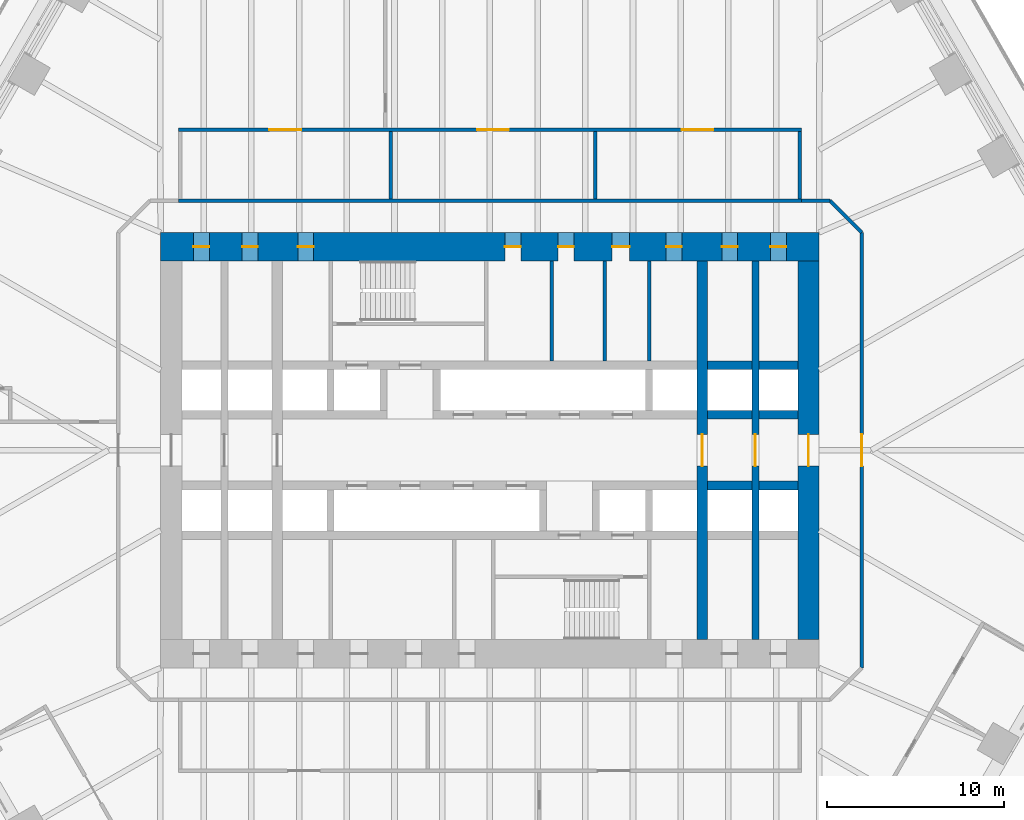
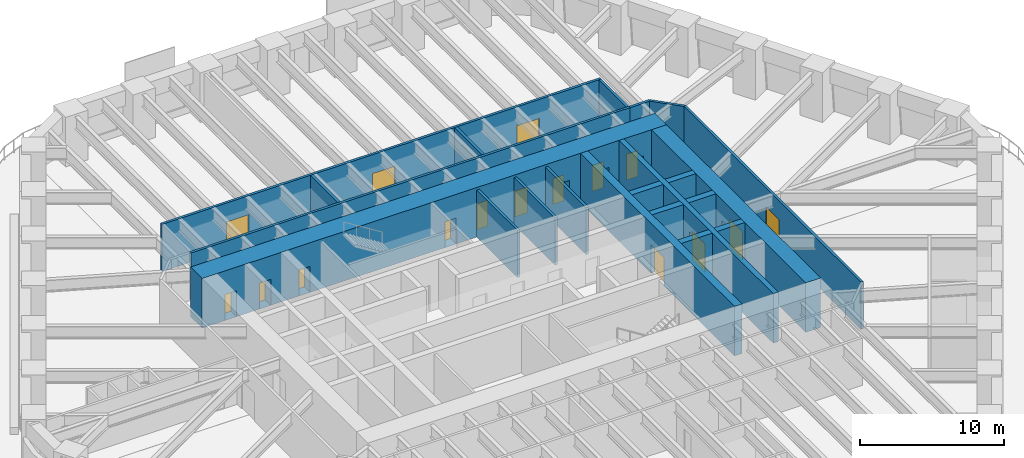
# One storey, part 19 of 23: 21 walls, 16 doors, 16 openings.
"""IFC4 building model written with IfcOpenShell, lengths in metres."""

from ifc_helpers import new_model, si_unit, direction, frame, frame_2d, origin, place, context, subcontext, project, spatial, rectangle, extrude, material, layer, layer_set, type_object, element, fill, save


model = new_model("IFC4")

# Units and contexts
model_context = context("Model", 3, precision=1e-05, world=origin(), true_north=direction((0.0, 1.0)))
body_context = subcontext(model_context, "Body", "Model", "MODEL_VIEW")
ifc_project = project(units=[si_unit("LENGTHUNIT", "METRE"), si_unit("AREAUNIT", "SQUARE_METRE"), si_unit("VOLUMEUNIT", "CUBIC_METRE"), si_unit("PLANEANGLEUNIT", "RADIAN"), si_unit("MASSUNIT", "GRAM", prefix="KILO")], contexts=[model_context])

# Site, building, storey
site_placement = place(None, origin())
site = spatial("IfcSite", under=ifc_project, at=site_placement, CompositionType="ELEMENT")
building_placement = place(site_placement, origin())
building = spatial("IfcBuilding", under=site, at=building_placement, Name="Tarfa Lantern Tower", CompositionType="ELEMENT")
storey_placement = place(building_placement, frame((0.0, 0.0, 86.5)))
storey = spatial("IfcBuildingStorey", under=building, at=storey_placement, Name="L19", CompositionType="ELEMENT", Elevation=86.5)

# Walls
ifc_material_1 = material(Name="Concrete blockwork", Category="masonry")
ifc_layer_1 = layer(ifc_material_1, 0.199951171875)
ifc_layer_set_1 = layer_set([ifc_layer_1], Name="IW1 BLOCKWORK PARTITION 200 EI 120")
wall_type_1 = type_object("IfcWallType", Name="IW1 BLOCKWORK PARTITION 200 EI 120", PredefinedType="PARTITIONING", material=ifc_layer_set_1)
for number, where, z_axis, x_axis, name in (
    (1, (9.0, 5.050048828125, 0.0), (0.0, 0.0, 1.0), (0.0, 1.0, 0.0), "Core partition"),
    (2, (3.5, 5.050048828125, 0.0), (0.0, 0.0, 1.0), (0.0, 1.0, 0.0), "Core partition"),
    (3, (6.5, 5.050048828125, 0.0), (0.0, 0.0, 1.0), (0.0, 1.0, 0.0), "Core partition"),
):
    element("IfcWall", number, at=place(storey_placement, frame(where, z_axis=z_axis, x_axis=x_axis)), inside=storey, type_object=wall_type_1, Name=name, PredefinedType="PARTITIONING", context=body_context, shape_type="SweptSolid", body=[
        extrude(rectangle(XDim=5.64990234375, YDim=0.199951171875, at=frame_2d((2.824951171875, 0.0))), origin(), (0.0, 0.0, 1.0), 4.0),
    ])
ifc_material_2 = material(Name="Gypsum board on steel studs", Category="steel")
ifc_layer_2 = layer(ifc_material_2, 0.2099609375)
ifc_layer_set_2 = layer_set([ifc_layer_2], Name="IW2 ACOUSTIC PARTITION 200")
wall_type_2 = type_object("IfcWallType", Name="IW2 ACOUSTIC PARTITION 200", PredefinedType="PARTITIONING", material=ifc_layer_set_2)
wall_1_placement = place(storey_placement, frame((-17.60009765625, 14.10009765625, 0.0), z_axis=(0.0, 0.0, 1.0), x_axis=(1.0, 0.0, 0.0)))
element("IfcWall", 4, at=wall_1_placement, inside=storey, type_object=wall_type_2, Name="Partition", PredefinedType="PARTITIONING", context=body_context, shape_type="SweptSolid", body=[
    extrude(rectangle(XDim=35.2001953125, YDim=0.199951171875, at=frame_2d((17.60009765625, 0.0))), origin(), (0.0, 0.0, 1.0), 4.0),
])

# Wall, openings, doors
wall_2_placement = place(storey_placement, frame((-17.60009765625, 18.10009765625, 0.0), z_axis=(0.0, 0.0, 1.0), x_axis=(1.0, 0.0, 0.0)))
wall_2 = element("IfcWall", 5, at=wall_2_placement, inside=storey, type_object=wall_type_2, Name="Partition", PredefinedType="PARTITIONING", context=body_context, shape_type="SweptSolid", body=[
    extrude(rectangle(XDim=35.2001953125, YDim=0.199951171875, at=frame_2d((17.60009765625, 0.0))), origin(), (0.0, 0.0, 1.0), 4.0),
])
opening_1_placement = place(wall_2_placement, frame((5.14990234375, 0.0, 0.0)))
opening_1 = element("IfcOpeningElement", 6, at=opening_1_placement, cuts=wall_2, Name="Opening D32", PredefinedType="OPENING", context=body_context, shape_type="SweptSolid", body=[
    extrude(rectangle(XDim=1.800048828125, YDim=2.39990234375, at=frame_2d((0.89990234375, 1.199951171875))), frame((0.0, 0.10986328125, 0.0), z_axis=(0.0, -1.0, 0.0), x_axis=(1.0, 0.0, 0.0)), (0.0, 0.0, 1.0), 0.219970703125),
])
opening_2_placement = place(wall_2_placement, frame((16.875, 0.0, 0.0)))
opening_2 = element("IfcOpeningElement", 7, at=opening_2_placement, cuts=wall_2, Name="Opening D33", PredefinedType="OPENING", context=body_context, shape_type="SweptSolid", body=[
    extrude(rectangle(XDim=1.800048828125, YDim=2.39990234375, at=frame_2d((0.89990234375, 1.199951171875))), frame((0.0, 0.10986328125, 0.0), z_axis=(0.0, -1.0, 0.0), x_axis=(1.0, 0.0, 0.0)), (0.0, 0.0, 1.0), 0.219970703125),
])
opening_3_placement = place(wall_2_placement, frame((28.425048828125, 0.0, 0.0)))
opening_3 = element("IfcOpeningElement", 8, at=opening_3_placement, cuts=wall_2, Name="Opening D34", PredefinedType="OPENING", context=body_context, shape_type="SweptSolid", body=[
    extrude(rectangle(XDim=1.800048828125, YDim=2.39990234375, at=frame_2d((0.89990234375, 1.199951171875))), frame((0.0, 0.10986328125, 0.0), z_axis=(0.0, -1.0, 0.0), x_axis=(1.0, 0.0, 0.0)), (0.0, 0.0, 1.0), 0.219970703125),
])
ifc_material_3 = material(Name="Timber door", Category="wood")
door_type_1 = type_object("IfcDoorType", Name="DR2 ROOM DOOR 1800x2400", OperationType="DOUBLE_DOOR_SINGLE_SWING", PredefinedType="DOOR", material=ifc_material_3)
door_1_placement = place(opening_1_placement, frame((1.800048828125, 0.0, 0.0), z_axis=(0.0, 0.0, 1.0), x_axis=(-1.0, 0.0, 0.0)))
door_1 = element("IfcDoor", 9, at=door_1_placement, inside=storey, type_object=door_type_1, Name="Interview room door", OperationType="DOUBLE_DOOR_SINGLE_SWING", OverallHeight=2.39990234375, OverallWidth=1.800048828125, PredefinedType="DOOR", context=body_context, shape_type="SweptSolid", body=[
    extrude(rectangle(XDim=1.800048828125, YDim=2.39990234375, at=frame_2d((0.89990234375, 1.199951171875))), frame((0.0, 0.02490234375, 0.0), z_axis=(0.0, -1.0, 0.0), x_axis=(1.0, 0.0, 0.0)), (0.0, 0.0, 1.0), 0.050048828125),
])
fill(opening_1, door_1)
door_2_placement = place(opening_2_placement, frame((1.800048828125, 0.0, 0.0), z_axis=(0.0, 0.0, 1.0), x_axis=(-1.0, 0.0, 0.0)))
door_2 = element("IfcDoor", 10, at=door_2_placement, inside=storey, type_object=door_type_1, Name="Interview room door", OperationType="DOUBLE_DOOR_SINGLE_SWING", OverallHeight=2.39990234375, OverallWidth=1.800048828125, PredefinedType="DOOR", context=body_context, shape_type="SweptSolid", body=[
    extrude(rectangle(XDim=1.800048828125, YDim=2.39990234375, at=frame_2d((0.89990234375, 1.199951171875))), frame((0.0, 0.02490234375, 0.0), z_axis=(0.0, -1.0, 0.0), x_axis=(1.0, 0.0, 0.0)), (0.0, 0.0, 1.0), 0.050048828125),
])
fill(opening_2, door_2)
door_3_placement = place(opening_3_placement, frame((1.800048828125, 0.0, 0.0), z_axis=(0.0, 0.0, 1.0), x_axis=(-1.0, 0.0, 0.0)))
door_3 = element("IfcDoor", 11, at=door_3_placement, inside=storey, type_object=door_type_1, Name="Interview room door", OperationType="DOUBLE_DOOR_SINGLE_SWING", OverallHeight=2.39990234375, OverallWidth=1.800048828125, PredefinedType="DOOR", context=body_context, shape_type="SweptSolid", body=[
    extrude(rectangle(XDim=1.800048828125, YDim=2.39990234375, at=frame_2d((0.89990234375, 1.199951171875))), frame((0.0, 0.02490234375, 0.0), z_axis=(0.0, -1.0, 0.0), x_axis=(1.0, 0.0, 0.0)), (0.0, 0.0, 1.0), 0.050048828125),
])
fill(opening_3, door_3)

# Walls
for number, where, z_axis, x_axis, name in (
    (12, (-5.60009765625, 14.199951171875, 0.0), (0.0, 0.0, 1.0), (0.0, 1.0, 0.0), "Partition"),
    (13, (5.949951171875, 14.199951171875, 0.0), (0.0, 0.0, 1.0), (0.0, 1.0, 0.0), "Partition"),
    (14, (17.5, 14.199951171875, 0.0), (0.0, 0.0, 1.0), (0.0, 1.0, 0.0), "Partition"),
):
    element("IfcWall", number, at=place(storey_placement, frame(where, z_axis=z_axis, x_axis=x_axis)), inside=storey, type_object=wall_type_2, Name=name, PredefinedType="PARTITIONING", context=body_context, shape_type="SweptSolid", body=[
        extrude(rectangle(XDim=3.800048828125, YDim=0.199951171875, at=frame_2d((1.89990234375, 0.0))), origin(), (0.0, 0.0, 1.0), 4.0),
    ])
wall_3_placement = place(storey_placement, frame((17.60009765625, 14.10009765625, 0.0), z_axis=(0.0, 0.0, 1.0), x_axis=(1.0, 0.0, 0.0)))
element("IfcWall", 15, at=wall_3_placement, inside=storey, type_object=wall_type_2, Name="Partition", PredefinedType="PARTITIONING", context=body_context, shape_type="SweptSolid", body=[
    extrude(rectangle(XDim=1.599853515625, YDim=0.199951171875, at=frame_2d((0.7998046875, 0.0))), origin(), (0.0, 0.0, 1.0), 4.0),
])
wall_4_placement = place(storey_placement, frame((19.199951171875, 14.10009765625, 0.0), z_axis=(0.0, 0.0, 1.0), x_axis=(0.707106781187, -0.707106781187, 0.0)))
element("IfcWall", 16, at=wall_4_placement, inside=storey, type_object=wall_type_2, Name="Partition", PredefinedType="PARTITIONING", context=body_context, shape_type="SweptSolid", body=[
    extrude(rectangle(XDim=2.545654296875, YDim=0.199951171875, at=frame_2d((1.27294921875, 0.0))), origin(), (0.0, 0.0, 1.0), 4.0),
])

# Wall, opening, door
wall_5_placement = place(storey_placement, frame((21.0, 12.300048828125, 0.0), z_axis=(0.0, 0.0, 1.0), x_axis=(0.0, -1.0, 0.0)))
wall_5 = element("IfcWall", 17, at=wall_5_placement, inside=storey, type_object=wall_type_2, Name="Partition", PredefinedType="PARTITIONING", context=body_context, shape_type="SweptSolid", body=[
    extrude(rectangle(XDim=24.60009765625, YDim=0.199951171875, at=frame_2d((12.300048828125, 0.0))), origin(), (0.0, 0.0, 1.0), 4.0),
])
opening_4_placement = place(wall_5_placement, frame((11.39990234375, 0.0, 0.0)))
opening_4 = element("IfcOpeningElement", 18, at=opening_4_placement, cuts=wall_5, Name="Opening D42", PredefinedType="OPENING", context=body_context, shape_type="SweptSolid", body=[
    extrude(rectangle(XDim=1.800048828125, YDim=2.39990234375, at=frame_2d((0.89990234375, 1.199951171875))), frame((0.0, 0.10986328125, 0.0), z_axis=(0.0, -1.0, 0.0), x_axis=(1.0, 0.0, 0.0)), (0.0, 0.0, 1.0), 0.219970703125),
])
door_4_placement = place(opening_4_placement, origin())
door_4 = element("IfcDoor", 19, at=door_4_placement, inside=storey, type_object=door_type_1, Name="Corridor door", OperationType="DOUBLE_DOOR_SINGLE_SWING", OverallHeight=2.39990234375, OverallWidth=1.800048828125, PredefinedType="DOOR", context=body_context, shape_type="SweptSolid", body=[
    extrude(rectangle(XDim=1.800048828125, YDim=2.39990234375, at=frame_2d((0.89990234375, 1.199951171875))), frame((0.0, 0.02490234375, 0.0), z_axis=(0.0, -1.0, 0.0), x_axis=(1.0, 0.0, 0.0)), (0.0, 0.0, 1.0), 0.050048828125),
])
fill(opening_4, door_4)

ifc_material_4 = material(Name="Concrete C80/95", Category="concrete")
ifc_layer_3 = layer(ifc_material_4, 1.199951171875)
ifc_layer_set_3 = layer_set([ifc_layer_3], Name="SW1 CORE WALL 1200")
wall_type_3 = type_object("IfcWallType", Name="SW1 CORE WALL 1200", PredefinedType="SHEAR", material=ifc_layer_set_3)
wall_6_placement = place(storey_placement, frame((18.0, -10.699951171875, 0.0), z_axis=(0.0, 0.0, 1.0), x_axis=(0.0, 1.0, 0.0)))
wall_6 = element("IfcWall", 20, at=wall_6_placement, inside=storey, type_object=wall_type_3, Name="Core wall E", PredefinedType="SHEAR", context=body_context, shape_type="SweptSolid", body=[
    extrude(rectangle(XDim=21.39990234375, YDim=1.199951171875, at=frame_2d((10.699951171875, 0.0))), origin(), (0.0, 0.0, 1.0), 4.199951171875),
])
opening_5_placement = place(wall_6_placement, frame((9.800048828125, 0.0, 0.0)))
opening_5 = element("IfcOpeningElement", 21, at=opening_5_placement, cuts=wall_6, Name="Opening D15", PredefinedType="OPENING", context=body_context, shape_type="SweptSolid", body=[
    extrude(rectangle(XDim=1.800048828125, YDim=2.39990234375, at=frame_2d((0.89990234375, 1.199951171875))), frame((0.0, 0.60986328125, 0.0), z_axis=(0.0, -1.0, 0.0), x_axis=(1.0, 0.0, 0.0)), (0.0, 0.0, 1.0), 1.219970703125),
])
ifc_material_5 = material(Name="Steel fire door", Category="steel")
door_type_2 = type_object("IfcDoorType", Name="DL1 LOBBY DOOR 1800x2400", OperationType="DOUBLE_DOOR_SINGLE_SWING", PredefinedType="DOOR", material=ifc_material_5)
door_5_placement = place(opening_5_placement, frame((1.800048828125, 0.0, 0.0), z_axis=(0.0, 0.0, 1.0), x_axis=(-1.0, 0.0, 0.0)))
door_5 = element("IfcDoor", 22, at=door_5_placement, inside=storey, type_object=door_type_2, Name="Lift lobby door", OperationType="DOUBLE_DOOR_SINGLE_SWING", OverallHeight=2.39990234375, OverallWidth=1.800048828125, PredefinedType="DOOR", context=body_context, shape_type="SweptSolid", body=[
    extrude(rectangle(XDim=1.800048828125, YDim=2.39990234375, at=frame_2d((0.89990234375, 1.199951171875))), frame((0.0, 0.02490234375, 0.0), z_axis=(0.0, -1.0, 0.0), x_axis=(1.0, 0.0, 0.0)), (0.0, 0.0, 1.0), 0.050048828125),
])
fill(opening_5, door_5)

# Walls
ifc_layer_4 = layer(ifc_material_4, 0.5)
ifc_layer_set_4 = layer_set([ifc_layer_4], Name="SW5 CORE WALL 500")
wall_type_4 = type_object("IfcWallType", Name="SW5 CORE WALL 500", PredefinedType="SHEAR", material=ifc_layer_set_4)
wall_7_placement = place(storey_placement, frame((12.300048828125, 2.0, 0.0), z_axis=(0.0, 0.0, 1.0), x_axis=(1.0, 0.0, 0.0)))
element("IfcWall", 23, at=wall_7_placement, inside=storey, type_object=wall_type_4, Name="Core wall lobby east N", PredefinedType="SHEAR", context=body_context, shape_type="SweptSolid", body=[
    extrude(rectangle(XDim=2.5, YDim=0.5, at=frame_2d((1.25, 0.0))), origin(), (0.0, 0.0, 1.0), 4.199951171875),
])
wall_8_placement = place(storey_placement, frame((15.199951171875, 2.0, 0.0), z_axis=(0.0, 0.0, 1.0), x_axis=(1.0, 0.0, 0.0)))
element("IfcWall", 24, at=wall_8_placement, inside=storey, type_object=wall_type_4, Name="Core wall lobby east N", PredefinedType="SHEAR", context=body_context, shape_type="SweptSolid", body=[
    extrude(rectangle(XDim=2.199951171875, YDim=0.5, at=frame_2d((1.10009765625, 0.0))), origin(), (0.0, 0.0, 1.0), 4.199951171875),
])
wall_9_placement = place(storey_placement, frame((12.300048828125, 4.800048828125, 0.0), z_axis=(0.0, 0.0, 1.0), x_axis=(1.0, 0.0, 0.0)))
element("IfcWall", 25, at=wall_9_placement, inside=storey, type_object=wall_type_4, Name="Core wall rear N", PredefinedType="SHEAR", context=body_context, shape_type="SweptSolid", body=[
    extrude(rectangle(XDim=2.5, YDim=0.5, at=frame_2d((1.25, 0.0))), origin(), (0.0, 0.0, 1.0), 4.199951171875),
])
for number, where, z_axis, x_axis, name in (
    (26, (15.199951171875, 4.800048828125, 0.0), (0.0, 0.0, 1.0), (1.0, 0.0, 0.0), "Core wall rear N"),
    (27, (17.39990234375, -2.0, 0.0), (0.0, 0.0, 1.0), (-1.0, 0.0, 0.0), "Core wall lobby west S"),
):
    element("IfcWall", number, at=place(storey_placement, frame(where, z_axis=z_axis, x_axis=x_axis)), inside=storey, type_object=wall_type_4, Name=name, PredefinedType="SHEAR", context=body_context, shape_type="SweptSolid", body=[
        extrude(rectangle(XDim=2.199951171875, YDim=0.5, at=frame_2d((1.10009765625, 0.0))), origin(), (0.0, 0.0, 1.0), 4.199951171875),
    ])
wall_10_placement = place(storey_placement, frame((14.800048828125, -2.0, 0.0), z_axis=(0.0, 0.0, 1.0), x_axis=(-1.0, 0.0, 0.0)))
element("IfcWall", 28, at=wall_10_placement, inside=storey, type_object=wall_type_4, Name="Core wall lobby west S", PredefinedType="SHEAR", context=body_context, shape_type="SweptSolid", body=[
    extrude(rectangle(XDim=2.5, YDim=0.5, at=frame_2d((1.25, 0.0))), origin(), (0.0, 0.0, 1.0), 4.199951171875),
])

# Wall, opening, door
ifc_layer_5 = layer(ifc_material_4, 0.39990234375)
ifc_layer_set_5 = layer_set([ifc_layer_5], Name="SW6 CORE WALL 400")
wall_type_5 = type_object("IfcWallType", Name="SW6 CORE WALL 400", PredefinedType="SHEAR", material=ifc_layer_set_5)
wall_11_placement = place(storey_placement, frame((15.0, -10.699951171875, 0.0), z_axis=(0.0, 0.0, 1.0), x_axis=(0.0, 1.0, 0.0)))
wall_11 = element("IfcWall", 29, at=wall_11_placement, inside=storey, type_object=wall_type_5, Name="Core wall cross 15 m east", PredefinedType="SHEAR", context=body_context, shape_type="SweptSolid", body=[
    extrude(rectangle(XDim=21.39990234375, YDim=0.39990234375, at=frame_2d((10.699951171875, 0.0))), origin(), (0.0, 0.0, 1.0), 4.199951171875),
])
opening_6_placement = place(wall_11_placement, frame((9.800048828125, 0.0, 0.0)))
opening_6 = element("IfcOpeningElement", 30, at=opening_6_placement, cuts=wall_11, Name="Opening D26", PredefinedType="OPENING", context=body_context, shape_type="SweptSolid", body=[
    extrude(rectangle(XDim=1.800048828125, YDim=2.39990234375, at=frame_2d((0.89990234375, 1.199951171875))), frame((0.0, 0.2099609375, 0.0), z_axis=(0.0, -1.0, 0.0), x_axis=(1.0, 0.0, 0.0)), (0.0, 0.0, 1.0), 0.419921875),
])
door_6_placement = place(opening_6_placement, origin())
door_6 = element("IfcDoor", 31, at=door_6_placement, inside=storey, type_object=door_type_2, Name="Lift lobby door", OperationType="DOUBLE_DOOR_SINGLE_SWING", OverallHeight=2.39990234375, OverallWidth=1.800048828125, PredefinedType="DOOR", context=body_context, shape_type="SweptSolid", body=[
    extrude(rectangle(XDim=1.800048828125, YDim=2.39990234375, at=frame_2d((0.89990234375, 1.199951171875))), frame((0.0, 0.02490234375, 0.0), z_axis=(0.0, -1.0, 0.0), x_axis=(1.0, 0.0, 0.0)), (0.0, 0.0, 1.0), 0.050048828125),
])
fill(opening_6, door_6)

# Wall, openings, doors
ifc_layer_6 = layer(ifc_material_4, 1.60009765625)
ifc_layer_set_6 = layer_set([ifc_layer_6], Name="SW7 CORE WALL 1600")
wall_type_6 = type_object("IfcWallType", Name="SW7 CORE WALL 1600", PredefinedType="SHEAR", material=ifc_layer_set_6)
wall_12_placement = place(storey_placement, frame((-18.60009765625, 11.5, 0.0), z_axis=(0.0, 0.0, 1.0), x_axis=(1.0, 0.0, 0.0)))
wall_12 = element("IfcWall", 32, at=wall_12_placement, inside=storey, type_object=wall_type_6, Name="Core wall N", PredefinedType="SHEAR", context=body_context, shape_type="SweptSolid", body=[
    extrude(rectangle(XDim=37.2001953125, YDim=1.60009765625, at=frame_2d((18.60009765625, 0.0))), origin(), (0.0, 0.0, 1.0), 4.199951171875),
])
opening_7_placement = place(wall_12_placement, frame((19.449951171875, 0.0, 0.0)))
opening_7 = element("IfcOpeningElement", 33, at=opening_7_placement, cuts=wall_12, Name="Opening D17", PredefinedType="OPENING", context=body_context, shape_type="SweptSolid", body=[
    extrude(rectangle(XDim=0.89990234375, YDim=2.199951171875, at=frame_2d((0.449951171875, 1.10009765625))), frame((0.0, 0.81005859375, 0.0), z_axis=(0.0, -1.0, 0.0), x_axis=(1.0, 0.0, 0.0)), (0.0, 0.0, 1.0), 1.6201171875),
])
opening_8_placement = place(wall_12_placement, frame((22.449951171875, 0.0, 0.0)))
opening_8 = element("IfcOpeningElement", 34, at=opening_8_placement, cuts=wall_12, Name="Opening D19", PredefinedType="OPENING", context=body_context, shape_type="SweptSolid", body=[
    extrude(rectangle(XDim=0.89990234375, YDim=2.199951171875, at=frame_2d((0.449951171875, 1.10009765625))), frame((0.0, 0.81005859375, 0.0), z_axis=(0.0, -1.0, 0.0), x_axis=(1.0, 0.0, 0.0)), (0.0, 0.0, 1.0), 1.6201171875),
])
opening_9_placement = place(wall_12_placement, frame((25.5, 0.0, 0.0)))
opening_9 = element("IfcOpeningElement", 35, at=opening_9_placement, cuts=wall_12, Name="Opening D21", PredefinedType="OPENING", context=body_context, shape_type="SweptSolid", body=[
    extrude(rectangle(XDim=1.0, YDim=2.199951171875, at=frame_2d((0.5, 1.10009765625))), frame((0.0, 0.81005859375, 0.0), z_axis=(0.0, -1.0, 0.0), x_axis=(1.0, 0.0, 0.0)), (0.0, 0.0, 1.0), 1.6201171875),
])
opening_10_placement = place(wall_12_placement, frame((1.85009765625, 0.0, 0.0)))
opening_10 = element("IfcOpeningElement", 36, at=opening_10_placement, cuts=wall_12, Name="Opening D11", PredefinedType="OPENING", context=body_context, shape_type="SweptSolid", body=[
    extrude(rectangle(XDim=0.89990234375, YDim=2.199951171875, at=frame_2d((0.449951171875, 1.10009765625))), frame((0.0, 0.81005859375, 0.0), z_axis=(0.0, -1.0, 0.0), x_axis=(1.0, 0.0, 0.0)), (0.0, 0.0, 1.0), 1.6201171875),
])
opening_11_placement = place(wall_12_placement, frame((4.60009765625, 0.0, 0.0)))
opening_11 = element("IfcOpeningElement", 37, at=opening_11_placement, cuts=wall_12, Name="Opening D07", PredefinedType="OPENING", context=body_context, shape_type="SweptSolid", body=[
    extrude(rectangle(XDim=0.89990234375, YDim=2.199951171875, at=frame_2d((0.449951171875, 1.10009765625))), frame((0.0, 0.81005859375, 0.0), z_axis=(0.0, -1.0, 0.0), x_axis=(1.0, 0.0, 0.0)), (0.0, 0.0, 1.0), 1.6201171875),
])
opening_12_placement = place(wall_12_placement, frame((7.75, 0.0, 0.0)))
opening_12 = element("IfcOpeningElement", 38, at=opening_12_placement, cuts=wall_12, Name="Opening D09", PredefinedType="OPENING", context=body_context, shape_type="SweptSolid", body=[
    extrude(rectangle(XDim=0.89990234375, YDim=2.199951171875, at=frame_2d((0.449951171875, 1.10009765625))), frame((0.0, 0.81005859375, 0.0), z_axis=(0.0, -1.0, 0.0), x_axis=(1.0, 0.0, 0.0)), (0.0, 0.0, 1.0), 1.6201171875),
])
opening_13_placement = place(wall_12_placement, frame((28.550048828125, 0.0, 0.0)))
opening_13 = element("IfcOpeningElement", 39, at=opening_13_placement, cuts=wall_12, Name="Opening D05", PredefinedType="OPENING", context=body_context, shape_type="SweptSolid", body=[
    extrude(rectangle(XDim=0.89990234375, YDim=2.199951171875, at=frame_2d((0.449951171875, 1.10009765625))), frame((0.0, 0.81005859375, 0.0), z_axis=(0.0, -1.0, 0.0), x_axis=(1.0, 0.0, 0.0)), (0.0, 0.0, 1.0), 1.6201171875),
])
opening_14_placement = place(wall_12_placement, frame((31.699951171875, 0.0, 0.0)))
opening_14 = element("IfcOpeningElement", 40, at=opening_14_placement, cuts=wall_12, Name="Opening D01", PredefinedType="OPENING", context=body_context, shape_type="SweptSolid", body=[
    extrude(rectangle(XDim=0.89990234375, YDim=2.199951171875, at=frame_2d((0.449951171875, 1.10009765625))), frame((0.0, 0.81005859375, 0.0), z_axis=(0.0, -1.0, 0.0), x_axis=(1.0, 0.0, 0.0)), (0.0, 0.0, 1.0), 1.6201171875),
])
opening_15_placement = place(wall_12_placement, frame((34.449951171875, 0.0, 0.0)))
opening_15 = element("IfcOpeningElement", 41, at=opening_15_placement, cuts=wall_12, Name="Opening D03", PredefinedType="OPENING", context=body_context, shape_type="SweptSolid", body=[
    extrude(rectangle(XDim=0.89990234375, YDim=2.199951171875, at=frame_2d((0.449951171875, 1.10009765625))), frame((0.0, 0.81005859375, 0.0), z_axis=(0.0, -1.0, 0.0), x_axis=(1.0, 0.0, 0.0)), (0.0, 0.0, 1.0), 1.6201171875),
])
door_type_3 = type_object("IfcDoorType", Name="DF3 CORE ROOM DOOR 900x2200", OperationType="SINGLE_SWING_LEFT", PredefinedType="DOOR", material=ifc_material_5)
door_7_placement = place(opening_7_placement, frame((0.89990234375, 0.0, 0.0), z_axis=(0.0, 0.0, 1.0), x_axis=(-1.0, 0.0, 0.0)))
door_7 = element("IfcDoor", 42, at=door_7_placement, inside=storey, type_object=door_type_3, Name="Core door", OperationType="SINGLE_SWING_LEFT", OverallHeight=2.199951171875, OverallWidth=0.89990234375, PredefinedType="DOOR", context=body_context, shape_type="SweptSolid", body=[
    extrude(rectangle(XDim=0.89990234375, YDim=2.199951171875, at=frame_2d((0.449951171875, 1.10009765625))), frame((0.0, 0.02490234375, 0.0), z_axis=(0.0, -1.0, 0.0), x_axis=(1.0, 0.0, 0.0)), (0.0, 0.0, 1.0), 0.050048828125),
])
fill(opening_7, door_7)
door_8_placement = place(opening_8_placement, frame((0.89990234375, 0.0, 0.0), z_axis=(0.0, 0.0, 1.0), x_axis=(-1.0, 0.0, 0.0)))
door_8 = element("IfcDoor", 43, at=door_8_placement, inside=storey, type_object=door_type_3, Name="Core door", OperationType="SINGLE_SWING_LEFT", OverallHeight=2.199951171875, OverallWidth=0.89990234375, PredefinedType="DOOR", context=body_context, shape_type="SweptSolid", body=[
    extrude(rectangle(XDim=0.89990234375, YDim=2.199951171875, at=frame_2d((0.449951171875, 1.10009765625))), frame((0.0, 0.02490234375, 0.0), z_axis=(0.0, -1.0, 0.0), x_axis=(1.0, 0.0, 0.0)), (0.0, 0.0, 1.0), 0.050048828125),
])
fill(opening_8, door_8)
door_type_4 = type_object("IfcDoorType", Name="DF4 CORE ROOM DOOR 1000x2200", OperationType="SINGLE_SWING_LEFT", PredefinedType="DOOR", material=ifc_material_5)
door_9_placement = place(opening_9_placement, frame((1.0, 0.0, 0.0), z_axis=(0.0, 0.0, 1.0), x_axis=(-1.0, 0.0, 0.0)))
door_9 = element("IfcDoor", 44, at=door_9_placement, inside=storey, type_object=door_type_4, Name="Core door", OperationType="SINGLE_SWING_LEFT", OverallHeight=2.199951171875, OverallWidth=1.0, PredefinedType="DOOR", context=body_context, shape_type="SweptSolid", body=[
    extrude(rectangle(XDim=1.0, YDim=2.199951171875, at=frame_2d((0.5, 1.10009765625))), frame((0.0, 0.02490234375, 0.0), z_axis=(0.0, -1.0, 0.0), x_axis=(1.0, 0.0, 0.0)), (0.0, 0.0, 1.0), 0.050048828125),
])
fill(opening_9, door_9)
door_type_5 = type_object("IfcDoorType", Name="DF5 RISER DOOR 900x2200", OperationType="SINGLE_SWING_LEFT", PredefinedType="DOOR", material=ifc_material_5)
door_10_placement = place(opening_10_placement, frame((0.89990234375, 0.0, 0.0), z_axis=(0.0, 0.0, 1.0), x_axis=(-1.0, 0.0, 0.0)))
door_10 = element("IfcDoor", 45, at=door_10_placement, inside=storey, type_object=door_type_5, Name="Riser door", OperationType="SINGLE_SWING_LEFT", OverallHeight=2.199951171875, OverallWidth=0.89990234375, PredefinedType="DOOR", context=body_context, shape_type="SweptSolid", body=[
    extrude(rectangle(XDim=0.89990234375, YDim=2.199951171875, at=frame_2d((0.449951171875, 1.10009765625))), frame((0.0, 0.02490234375, 0.0), z_axis=(0.0, -1.0, 0.0), x_axis=(1.0, 0.0, 0.0)), (0.0, 0.0, 1.0), 0.050048828125),
])
fill(opening_10, door_10)
door_11_placement = place(opening_11_placement, frame((0.89990234375, 0.0, 0.0), z_axis=(0.0, 0.0, 1.0), x_axis=(-1.0, 0.0, 0.0)))
door_11 = element("IfcDoor", 46, at=door_11_placement, inside=storey, type_object=door_type_5, Name="Riser door", OperationType="SINGLE_SWING_LEFT", OverallHeight=2.199951171875, OverallWidth=0.89990234375, PredefinedType="DOOR", context=body_context, shape_type="SweptSolid", body=[
    extrude(rectangle(XDim=0.89990234375, YDim=2.199951171875, at=frame_2d((0.449951171875, 1.10009765625))), frame((0.0, 0.02490234375, 0.0), z_axis=(0.0, -1.0, 0.0), x_axis=(1.0, 0.0, 0.0)), (0.0, 0.0, 1.0), 0.050048828125),
])
fill(opening_11, door_11)
door_12_placement = place(opening_12_placement, frame((0.89990234375, 0.0, 0.0), z_axis=(0.0, 0.0, 1.0), x_axis=(-1.0, 0.0, 0.0)))
door_12 = element("IfcDoor", 47, at=door_12_placement, inside=storey, type_object=door_type_5, Name="Riser door", OperationType="SINGLE_SWING_LEFT", OverallHeight=2.199951171875, OverallWidth=0.89990234375, PredefinedType="DOOR", context=body_context, shape_type="SweptSolid", body=[
    extrude(rectangle(XDim=0.89990234375, YDim=2.199951171875, at=frame_2d((0.449951171875, 1.10009765625))), frame((0.0, 0.02490234375, 0.0), z_axis=(0.0, -1.0, 0.0), x_axis=(1.0, 0.0, 0.0)), (0.0, 0.0, 1.0), 0.050048828125),
])
fill(opening_12, door_12)
door_13_placement = place(opening_13_placement, frame((0.89990234375, 0.0, 0.0), z_axis=(0.0, 0.0, 1.0), x_axis=(-1.0, 0.0, 0.0)))
door_13 = element("IfcDoor", 48, at=door_13_placement, inside=storey, type_object=door_type_5, Name="Riser door", OperationType="SINGLE_SWING_RIGHT", OverallHeight=2.199951171875, OverallWidth=0.89990234375, PredefinedType="DOOR", context=body_context, shape_type="SweptSolid", body=[
    extrude(rectangle(XDim=0.89990234375, YDim=2.199951171875, at=frame_2d((0.449951171875, 1.10009765625))), frame((0.0, 0.02490234375, 0.0), z_axis=(0.0, -1.0, 0.0), x_axis=(1.0, 0.0, 0.0)), (0.0, 0.0, 1.0), 0.050048828125),
])
fill(opening_13, door_13)
door_14_placement = place(opening_14_placement, frame((0.89990234375, 0.0, 0.0), z_axis=(0.0, 0.0, 1.0), x_axis=(-1.0, 0.0, 0.0)))
door_14 = element("IfcDoor", 49, at=door_14_placement, inside=storey, type_object=door_type_5, Name="Riser door", OperationType="SINGLE_SWING_RIGHT", OverallHeight=2.199951171875, OverallWidth=0.89990234375, PredefinedType="DOOR", context=body_context, shape_type="SweptSolid", body=[
    extrude(rectangle(XDim=0.89990234375, YDim=2.199951171875, at=frame_2d((0.449951171875, 1.10009765625))), frame((0.0, 0.02490234375, 0.0), z_axis=(0.0, -1.0, 0.0), x_axis=(1.0, 0.0, 0.0)), (0.0, 0.0, 1.0), 0.050048828125),
])
fill(opening_14, door_14)
door_15_placement = place(opening_15_placement, frame((0.89990234375, 0.0, 0.0), z_axis=(0.0, 0.0, 1.0), x_axis=(-1.0, 0.0, 0.0)))
door_15 = element("IfcDoor", 50, at=door_15_placement, inside=storey, type_object=door_type_5, Name="Riser door", OperationType="SINGLE_SWING_RIGHT", OverallHeight=2.199951171875, OverallWidth=0.89990234375, PredefinedType="DOOR", context=body_context, shape_type="SweptSolid", body=[
    extrude(rectangle(XDim=0.89990234375, YDim=2.199951171875, at=frame_2d((0.449951171875, 1.10009765625))), frame((0.0, 0.02490234375, 0.0), z_axis=(0.0, -1.0, 0.0), x_axis=(1.0, 0.0, 0.0)), (0.0, 0.0, 1.0), 0.050048828125),
])
fill(opening_15, door_15)

# Wall, opening, door
ifc_layer_7 = layer(ifc_material_4, 0.60009765625)
ifc_layer_set_7 = layer_set([ifc_layer_7], Name="SW9 CORE WALL 600")
wall_type_7 = type_object("IfcWallType", Name="SW9 CORE WALL 600", PredefinedType="SHEAR", material=ifc_layer_set_7)
wall_13_placement = place(storey_placement, frame((12.0, -10.699951171875, 0.0), z_axis=(0.0, 0.0, 1.0), x_axis=(0.0, 1.0, 0.0)))
wall_13 = element("IfcWall", 51, at=wall_13_placement, inside=storey, type_object=wall_type_7, Name="Core wall cross 12 m east", PredefinedType="SHEAR", context=body_context, shape_type="SweptSolid", body=[
    extrude(rectangle(XDim=21.39990234375, YDim=0.60009765625, at=frame_2d((10.699951171875, 0.0))), origin(), (0.0, 0.0, 1.0), 4.199951171875),
])
opening_16_placement = place(wall_13_placement, frame((9.800048828125, 0.0, 0.0)))
opening_16 = element("IfcOpeningElement", 52, at=opening_16_placement, cuts=wall_13, Name="Opening D25", PredefinedType="OPENING", context=body_context, shape_type="SweptSolid", body=[
    extrude(rectangle(XDim=1.800048828125, YDim=2.39990234375, at=frame_2d((0.89990234375, 1.199951171875))), frame((0.0, 0.31005859375, 0.0), z_axis=(0.0, -1.0, 0.0), x_axis=(1.0, 0.0, 0.0)), (0.0, 0.0, 1.0), 0.6201171875),
])
door_16_placement = place(opening_16_placement, origin())
door_16 = element("IfcDoor", 53, at=door_16_placement, inside=storey, type_object=door_type_2, Name="Lift lobby door", OperationType="DOUBLE_DOOR_SINGLE_SWING", OverallHeight=2.39990234375, OverallWidth=1.800048828125, PredefinedType="DOOR", context=body_context, shape_type="SweptSolid", body=[
    extrude(rectangle(XDim=1.800048828125, YDim=2.39990234375, at=frame_2d((0.89990234375, 1.199951171875))), frame((0.0, 0.02490234375, 0.0), z_axis=(0.0, -1.0, 0.0), x_axis=(1.0, 0.0, 0.0)), (0.0, 0.0, 1.0), 0.050048828125),
])
fill(opening_16, door_16)

save(model, "model.ifc")
